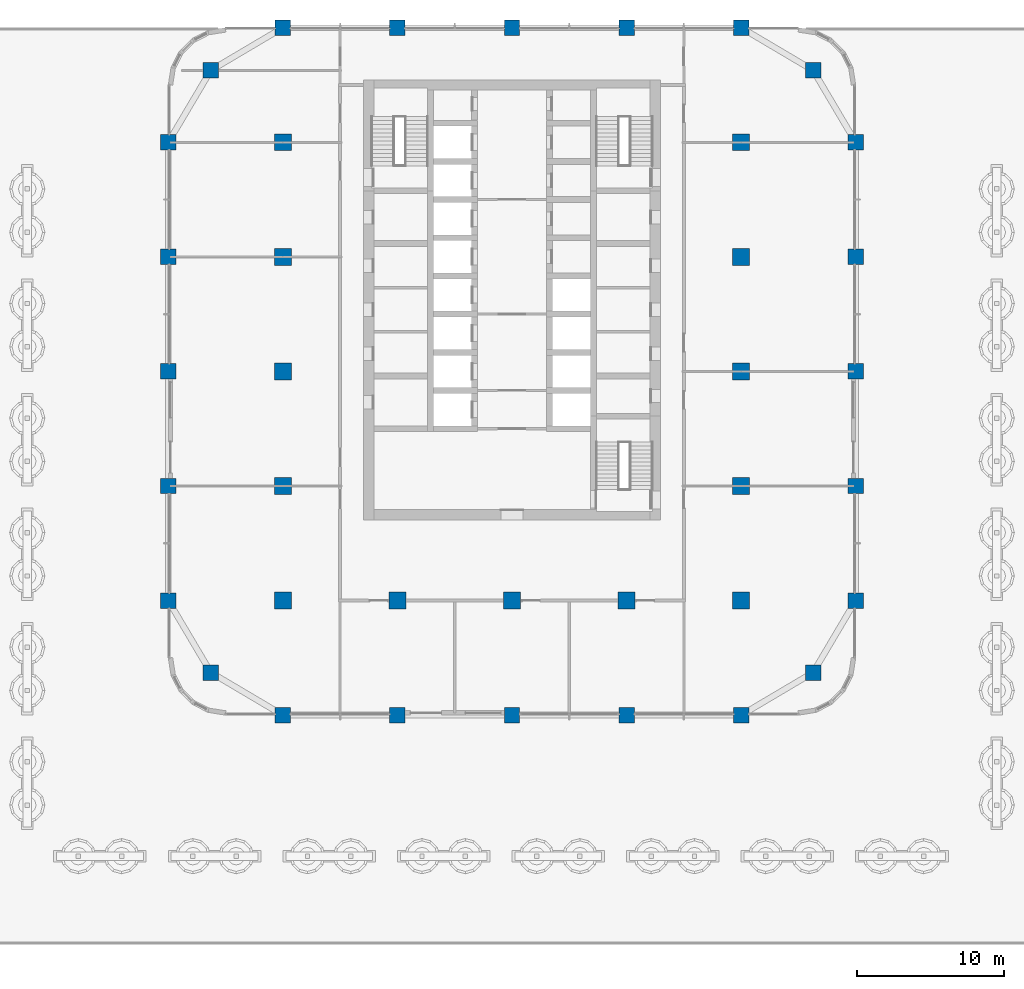
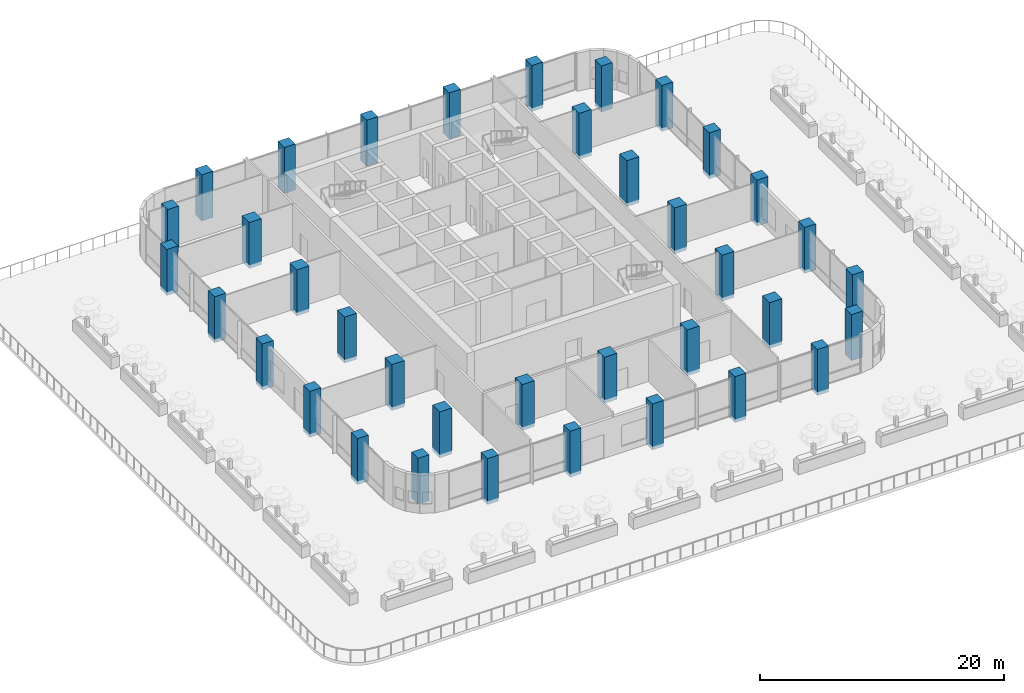
# One storey, part 1 of 31: 37 columns.
"""IFC4 building model written with IfcOpenShell, lengths in metres."""

from ifc_helpers import new_model, si_unit, direction, frame, origin, origin_2d, place, context, subcontext, project, spatial, rectangle, extrude, material, material_profile, profile_set, type_object, element, save


model = new_model("IFC4")

# Units and contexts
model_context = context("Model", 3, precision=1e-05, world=origin(), true_north=direction((0.0, 1.0)))
body_context = subcontext(model_context, "Body", "Model", "MODEL_VIEW")
ifc_project = project(units=[si_unit("LENGTHUNIT", "METRE"), si_unit("AREAUNIT", "SQUARE_METRE"), si_unit("VOLUMEUNIT", "CUBIC_METRE"), si_unit("PLANEANGLEUNIT", "RADIAN"), si_unit("MASSUNIT", "GRAM", prefix="KILO")], contexts=[model_context])

# Site, building, storey
site_placement = place(None, origin())
site = spatial("IfcSite", under=ifc_project, at=site_placement, CompositionType="ELEMENT")
building_placement = place(site_placement, origin())
building = spatial("IfcBuilding", under=site, at=building_placement, Name="Ludao Terraces", CompositionType="ELEMENT")
storey_placement = place(building_placement, frame((0.0, 0.0, 15.0)))
storey = spatial("IfcBuildingStorey", under=building, at=storey_placement, Name="L03", CompositionType="ELEMENT", Elevation=15.0)

# Columns
ifc_material = material(Name="Concrete C60", Category="concrete")
ifc_material_profile_1 = material_profile(ifc_material, rectangle(XDim=1.050048828125, YDim=1.050048828125, at=origin_2d()), Name="1050 X 1050")
ifc_profile_set_1 = profile_set([ifc_material_profile_1], Name="Concrete C60")
column_type_1 = type_object("IfcColumnType", Name="RC column 1050x1050 C60", PredefinedType="COLUMN", material=ifc_profile_set_1)
for number, where, z_axis, x_axis, name in (
    (1, (64.5, 44.5, -0.35009765625), (0.0, 0.0, 1.0), (1.0, 0.0, 0.0), "Column L03 C0029x0029"),
    (2, (105.5, 44.5, -0.35009765625), (0.0, 0.0, 1.0), (1.0, 0.0, 0.0), "Column L03 C0439x0029"),
    (3, (64.5, 85.5, -0.35009765625), (0.0, 0.0, 1.0), (1.0, 0.0, 0.0), "Column L03 C0029x0439"),
    (4, (105.5, 85.5, -0.35009765625), (0.0, 0.0, 1.0), (1.0, 0.0, 0.0), "Column L03 C0439x0439"),
    (5, (61.60009765625, 49.39990234375, -0.35009765625), (0.0, 0.0, 1.0), (1.0, 0.0, 0.0), "Column L03 F0000x0078"),
    (6, (108.39990234375, 49.39990234375, -0.35009765625), (0.0, 0.0, 1.0), (1.0, 0.0, 0.0), "Column L03 F0468x0078"),
    (7, (69.39990234375, 41.60009765625, -0.35009765625), (0.0, 0.0, 1.0), (1.0, 0.0, 0.0), "Column L03 F0078x0000"),
    (8, (69.39990234375, 88.39990234375, -0.35009765625), (0.0, 0.0, 1.0), (1.0, 0.0, 0.0), "Column L03 F0078x0468"),
    (9, (61.60009765625, 57.199951171875, -0.35009765625), (0.0, 0.0, 1.0), (1.0, 0.0, 0.0), "Column L03 F0000x0156"),
    (10, (108.39990234375, 57.199951171875, -0.35009765625), (0.0, 0.0, 1.0), (1.0, 0.0, 0.0), "Column L03 F0468x0156"),
    (11, (77.199951171875, 41.60009765625, -0.35009765625), (0.0, 0.0, 1.0), (1.0, 0.0, 0.0), "Column L03 F0156x0000"),
    (12, (77.199951171875, 88.39990234375, -0.35009765625), (0.0, 0.0, 1.0), (1.0, 0.0, 0.0), "Column L03 F0156x0468"),
    (13, (61.60009765625, 65.0, -0.35009765625), (0.0, 0.0, 1.0), (1.0, 0.0, 0.0), "Column L03 F0000x0234"),
    (14, (108.39990234375, 65.0, -0.35009765625), (0.0, 0.0, 1.0), (1.0, 0.0, 0.0), "Column L03 F0468x0234"),
    (15, (85.0, 41.60009765625, -0.35009765625), (0.0, 0.0, 1.0), (1.0, 0.0, 0.0), "Column L03 F0234x0000"),
    (16, (85.0, 88.39990234375, -0.35009765625), (0.0, 0.0, 1.0), (1.0, 0.0, 0.0), "Column L03 F0234x0468"),
    (17, (61.60009765625, 72.800048828125, -0.35009765625), (0.0, 0.0, 1.0), (1.0, 0.0, 0.0), "Column L03 F0000x0312"),
    (18, (108.39990234375, 72.800048828125, -0.35009765625), (0.0, 0.0, 1.0), (1.0, 0.0, 0.0), "Column L03 F0468x0312"),
    (19, (92.800048828125, 41.60009765625, -0.35009765625), (0.0, 0.0, 1.0), (1.0, 0.0, 0.0), "Column L03 F0312x0000"),
    (20, (92.800048828125, 88.39990234375, -0.35009765625), (0.0, 0.0, 1.0), (1.0, 0.0, 0.0), "Column L03 F0312x0468"),
    (21, (61.60009765625, 80.60009765625, -0.35009765625), (0.0, 0.0, 1.0), (1.0, 0.0, 0.0), "Column L03 F0000x0390"),
    (22, (108.39990234375, 80.60009765625, -0.35009765625), (0.0, 0.0, 1.0), (1.0, 0.0, 0.0), "Column L03 F0468x0390"),
    (23, (100.60009765625, 41.60009765625, -0.35009765625), (0.0, 0.0, 1.0), (1.0, 0.0, 0.0), "Column L03 F0390x0000"),
    (24, (100.60009765625, 88.39990234375, -0.35009765625), (0.0, 0.0, 1.0), (1.0, 0.0, 0.0), "Column L03 F0390x0468"),
):
    element("IfcColumn", number, at=place(storey_placement, frame(where, z_axis=z_axis, x_axis=x_axis)), inside=storey, type_object=column_type_1, Name=name, PredefinedType="COLUMN", context=body_context, shape_type="SweptSolid", body=[
        extrude(rectangle(XDim=1.050048828125, YDim=1.050048828125, at=origin_2d()), origin(), (0.0, 0.0, 1.0), 4.60009765625),
    ])
ifc_material_profile_2 = material_profile(ifc_material, rectangle(XDim=1.14990234375, YDim=1.14990234375, at=origin_2d()), Name="1150 X 1150")
ifc_profile_set_2 = profile_set([ifc_material_profile_2], Name="Concrete C60")
column_type_2 = type_object("IfcColumnType", Name="RC column 1150x1150 C60", PredefinedType="COLUMN", material=ifc_profile_set_2)
for number, where, z_axis, x_axis, name in (
    (25, (69.39990234375, 49.39990234375, -0.35009765625), (0.0, 0.0, 1.0), (1.0, 0.0, 0.0), "Column L03 S0078x0078"),
    (26, (69.39990234375, 57.199951171875, -0.35009765625), (0.0, 0.0, 1.0), (1.0, 0.0, 0.0), "Column L03 S0078x0156"),
    (27, (69.39990234375, 65.0, -0.35009765625), (0.0, 0.0, 1.0), (1.0, 0.0, 0.0), "Column L03 S0078x0234"),
    (28, (69.39990234375, 72.800048828125, -0.35009765625), (0.0, 0.0, 1.0), (1.0, 0.0, 0.0), "Column L03 S0078x0312"),
    (29, (69.39990234375, 80.60009765625, -0.35009765625), (0.0, 0.0, 1.0), (1.0, 0.0, 0.0), "Column L03 S0078x0390"),
    (30, (77.199951171875, 49.39990234375, -0.35009765625), (0.0, 0.0, 1.0), (1.0, 0.0, 0.0), "Column L03 S0156x0078"),
    (31, (85.0, 49.39990234375, -0.35009765625), (0.0, 0.0, 1.0), (1.0, 0.0, 0.0), "Column L03 S0234x0078"),
    (32, (92.800048828125, 49.39990234375, -0.35009765625), (0.0, 0.0, 1.0), (1.0, 0.0, 0.0), "Column L03 S0312x0078"),
    (33, (100.60009765625, 49.39990234375, -0.35009765625), (0.0, 0.0, 1.0), (1.0, 0.0, 0.0), "Column L03 S0390x0078"),
    (34, (100.60009765625, 57.199951171875, -0.35009765625), (0.0, 0.0, 1.0), (1.0, 0.0, 0.0), "Column L03 S0390x0156"),
    (35, (100.60009765625, 65.0, -0.35009765625), (0.0, 0.0, 1.0), (1.0, 0.0, 0.0), "Column L03 S0390x0234"),
    (36, (100.60009765625, 72.800048828125, -0.35009765625), (0.0, 0.0, 1.0), (1.0, 0.0, 0.0), "Column L03 S0390x0312"),
    (37, (100.60009765625, 80.60009765625, -0.35009765625), (0.0, 0.0, 1.0), (1.0, 0.0, 0.0), "Column L03 S0390x0390"),
):
    element("IfcColumn", number, at=place(storey_placement, frame(where, z_axis=z_axis, x_axis=x_axis)), inside=storey, type_object=column_type_2, Name=name, PredefinedType="COLUMN", context=body_context, shape_type="SweptSolid", body=[
        extrude(rectangle(XDim=1.14990234375, YDim=1.14990234375, at=origin_2d()), origin(), (0.0, 0.0, 1.0), 4.60009765625),
    ])

save(model, "model.ifc")
